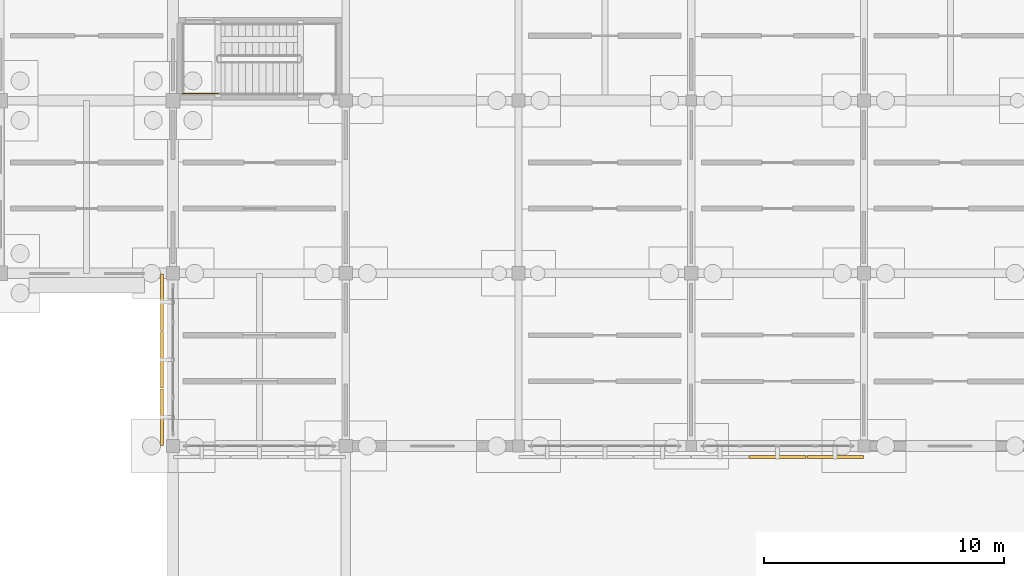
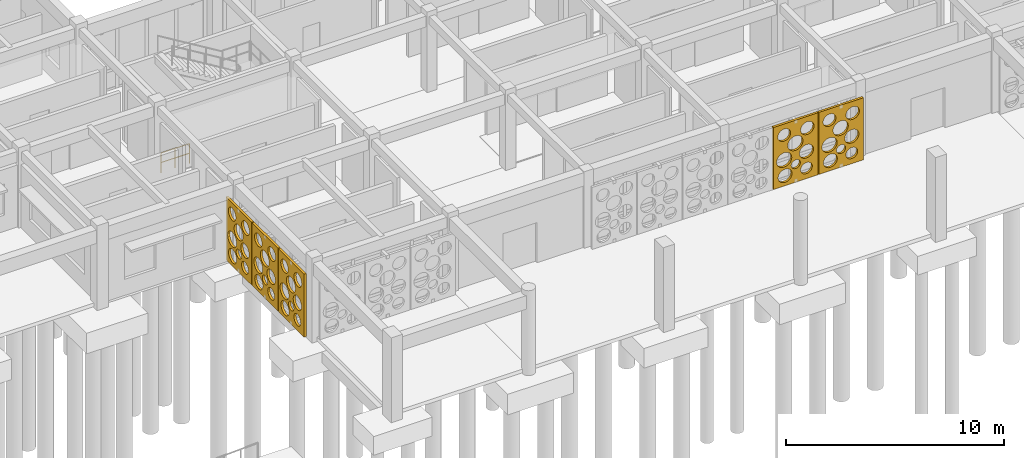
# One storey, part 98 of 111: 5 coverings, 1 railing.
"""IFC4 building model written with IfcOpenShell, lengths in metres."""

from ifc_helpers import new_model, si_unit, direction, frame, origin, origin_2d, place, context, subcontext, project, spatial, polyline, circle, outline, extrude, material, layer, layer_set, type_object, element, save


model = new_model("IFC4")

# Units and contexts
model_context = context("Model", 3, precision=1e-05, world=origin(), true_north=direction((0.0, 1.0)))
body_context = subcontext(model_context, "Body", "Model", "MODEL_VIEW")
ifc_project = project(units=[si_unit("LENGTHUNIT", "METRE"), si_unit("AREAUNIT", "SQUARE_METRE"), si_unit("VOLUMEUNIT", "CUBIC_METRE"), si_unit("PLANEANGLEUNIT", "RADIAN"), si_unit("MASSUNIT", "GRAM", prefix="KILO")], contexts=[model_context])

# Site, building, storey
site_placement = place(None, origin())
site = spatial("IfcSite", under=ifc_project, at=site_placement, CompositionType="ELEMENT")
building_placement = place(site_placement, origin())
building = spatial("IfcBuilding", under=site, at=building_placement, Name="Aldebral Square Health Centre", CompositionType="ELEMENT")
storey_placement = place(building_placement, origin())
storey = spatial("IfcBuildingStorey", under=building, at=storey_placement, Name="L00", CompositionType="ELEMENT", Elevation=0.0)

# Coverings
ifc_material_1 = material(Name="Cream cantera perforated stone screen", Category="masonry")
ifc_layer = layer(ifc_material_1, 0.1201171875, Name="Cream cantera perforated stone screen", Category="masonry")
ifc_layer_set = layer_set([ifc_layer], Name="Cream cantera perforated stone screen")
covering_type = type_object("IfcCoveringType", Name="COV-SCR-120", PredefinedType="CLADDING", material=ifc_layer_set)
covering_1_placement = place(storey_placement, frame((64.340087890625, 86.3798828125, 0.0), z_axis=(0.0, 0.0, 1.0), x_axis=(0.0, -1.0, 0.0)))
element("IfcCovering", 1, at=covering_1_placement, inside=storey, type_object=covering_type, Name="L00 V1 circular-aperture stone screen L00-V1-09-11-W.1", PredefinedType="CLADDING", context=body_context, shape_type="SweptSolid", body=[
    extrude(outline(polyline([(0.0, 0.0), (2.35986328125, 0.0), (2.35986328125, 3.52001953125), (0.0, 3.52001953125), (0.0, 0.0)]), holes=[polyline([(0.987548828125, 0.563232421875), (0.96923828125, 0.44775390625), (0.916015625, 0.343505859375), (0.833251953125, 0.2607421875), (0.729248046875, 0.20751953125), (0.613525390625, 0.189208984375), (0.498046875, 0.20751953125), (0.393798828125, 0.2607421875), (0.31103515625, 0.343505859375), (0.258056640625, 0.44775390625), (0.23974609375, 0.563232421875), (0.258056640625, 0.6787109375), (0.31103515625, 0.782958984375), (0.393798828125, 0.86572265625), (0.498046875, 0.918701171875), (0.613525390625, 0.93701171875), (0.729248046875, 0.918701171875), (0.833251953125, 0.86572265625), (0.916015625, 0.782958984375), (0.96923828125, 0.6787109375), (0.987548828125, 0.563232421875)]), polyline([(2.0615234375, 0.598388671875), (2.046142578125, 0.5009765625), (2.00146484375, 0.4130859375), (1.931640625, 0.343505859375), (1.84375, 0.298583984375), (1.746337890625, 0.283203125), (1.64892578125, 0.298583984375), (1.56103515625, 0.343505859375), (1.491455078125, 0.4130859375), (1.446533203125, 0.5009765625), (1.43115234375, 0.598388671875), (1.446533203125, 0.69580078125), (1.491455078125, 0.78369140625), (1.56103515625, 0.853515625), (1.64892578125, 0.898193359375), (1.746337890625, 0.91357421875), (1.84375, 0.898193359375), (1.931640625, 0.853515625), (2.00146484375, 0.78369140625), (2.046142578125, 0.69580078125), (2.0615234375, 0.598388671875)]), polyline([(0.974609375, 1.478515625), (0.95458984375, 1.352294921875), (0.896728515625, 1.238525390625), (0.806396484375, 1.148193359375), (0.692626953125, 1.090087890625), (0.56640625, 1.0703125), (0.440185546875, 1.090087890625), (0.326416015625, 1.148193359375), (0.236083984375, 1.238525390625), (0.17822265625, 1.352294921875), (0.158203125, 1.478515625), (0.17822265625, 1.6044921875), (0.236083984375, 1.71826171875), (0.326416015625, 1.80859375), (0.440185546875, 1.86669921875), (0.56640625, 1.88671875), (0.692626953125, 1.86669921875), (0.806396484375, 1.80859375), (0.896728515625, 1.71826171875), (0.95458984375, 1.6044921875), (0.974609375, 1.478515625)]), polyline([(2.127197265625, 1.548828125), (2.1083984375, 1.43115234375), (2.054443359375, 1.324951171875), (1.97021484375, 1.24072265625), (1.864013671875, 1.186767578125), (1.746337890625, 1.168212890625), (1.628662109375, 1.186767578125), (1.522705078125, 1.24072265625), (1.4384765625, 1.324951171875), (1.38427734375, 1.43115234375), (1.36572265625, 1.548828125), (1.38427734375, 1.66650390625), (1.4384765625, 1.7724609375), (1.522705078125, 1.856689453125), (1.628662109375, 1.910888671875), (1.746337890625, 1.929443359375), (1.864013671875, 1.910888671875), (1.97021484375, 1.856689453125), (2.054443359375, 1.7724609375), (2.1083984375, 1.66650390625), (2.127197265625, 1.548828125)]), polyline([(1.42529296875, 1.020751953125), (1.413330078125, 0.945068359375), (1.37841796875, 0.87646484375), (1.32421875, 0.822265625), (1.255859375, 0.787353515625), (1.179931640625, 0.775390625), (1.104248046875, 0.787353515625), (1.03564453125, 0.822265625), (0.9814453125, 0.87646484375), (0.946533203125, 0.945068359375), (0.9345703125, 1.020751953125), (0.946533203125, 1.0966796875), (0.9814453125, 1.1650390625), (1.03564453125, 1.21923828125), (1.104248046875, 1.254150390625), (1.179931640625, 1.26611328125), (1.255859375, 1.254150390625), (1.32421875, 1.21923828125), (1.37841796875, 1.1650390625), (1.413330078125, 1.0966796875), (1.42529296875, 1.020751953125)]), polyline([(1.5673828125, 2.217529296875), (1.54736328125, 2.090576171875), (1.489013671875, 1.97607421875), (1.39794921875, 1.885009765625), (1.283447265625, 1.82666015625), (1.156494140625, 1.806396484375), (1.029296875, 1.82666015625), (0.914794921875, 1.885009765625), (0.82373046875, 1.97607421875), (0.765380859375, 2.090576171875), (0.745361328125, 2.217529296875), (0.765380859375, 2.3447265625), (0.82373046875, 2.459228515625), (0.914794921875, 2.55029296875), (1.029296875, 2.608642578125), (1.156494140625, 2.628662109375), (1.283447265625, 2.608642578125), (1.39794921875, 2.55029296875), (1.489013671875, 2.459228515625), (1.54736328125, 2.3447265625), (1.5673828125, 2.217529296875)]), polyline([(0.91162109375, 2.886474609375), (0.894775390625, 2.77978515625), (0.845703125, 2.68359375), (0.769287109375, 2.607177734375), (0.673095703125, 2.55810546875), (0.56640625, 2.541259765625), (0.459716796875, 2.55810546875), (0.363525390625, 2.607177734375), (0.287109375, 2.68359375), (0.238037109375, 2.77978515625), (0.22119140625, 2.886474609375), (0.238037109375, 2.9931640625), (0.287109375, 3.08935546875), (0.363525390625, 3.165771484375), (0.459716796875, 3.214599609375), (0.56640625, 3.231689453125), (0.673095703125, 3.214599609375), (0.769287109375, 3.165771484375), (0.845703125, 3.08935546875), (0.894775390625, 2.9931640625), (0.91162109375, 2.886474609375)]), polyline([(2.15380859375, 2.851318359375), (2.13623046875, 2.739990234375), (2.0849609375, 2.639404296875), (2.00537109375, 2.559814453125), (1.905029296875, 2.508544921875), (1.793701171875, 2.490966796875), (1.682373046875, 2.508544921875), (1.581787109375, 2.559814453125), (1.502197265625, 2.639404296875), (1.450927734375, 2.739990234375), (1.433349609375, 2.851318359375), (1.450927734375, 2.96240234375), (1.502197265625, 3.06298828125), (1.581787109375, 3.142578125), (1.682373046875, 3.19384765625), (1.793701171875, 3.21142578125), (1.905029296875, 3.19384765625), (2.00537109375, 3.142578125), (2.0849609375, 3.06298828125), (2.13623046875, 2.96240234375), (2.15380859375, 2.851318359375)])]), frame((0.0, 0.06005859375, 0.0), z_axis=(0.0, -1.0, 0.0), x_axis=(1.0, 0.0, 0.0)), (0.0, 0.0, 1.0), 0.1201171875),
])
covering_2_placement = place(storey_placement, frame((64.340087890625, 83.97998046875, 0.0), z_axis=(0.0, 0.0, 1.0), x_axis=(0.0, -1.0, 0.0)))
element("IfcCovering", 2, at=covering_2_placement, inside=storey, type_object=covering_type, Name="L00 V1 circular-aperture stone screen L00-V1-09-11-W.2", PredefinedType="CLADDING", context=body_context, shape_type="SweptSolid", body=[
    extrude(outline(polyline([(0.0, 0.0), (2.35986328125, 0.0), (2.35986328125, 3.52001953125), (0.0, 3.52001953125), (0.0, 0.0)]), holes=[polyline([(0.987548828125, 0.563232421875), (0.96923828125, 0.44775390625), (0.916015625, 0.343505859375), (0.833251953125, 0.2607421875), (0.729248046875, 0.20751953125), (0.613525390625, 0.189208984375), (0.498046875, 0.20751953125), (0.393798828125, 0.2607421875), (0.31103515625, 0.343505859375), (0.258056640625, 0.44775390625), (0.23974609375, 0.563232421875), (0.258056640625, 0.6787109375), (0.31103515625, 0.782958984375), (0.393798828125, 0.86572265625), (0.498046875, 0.918701171875), (0.613525390625, 0.93701171875), (0.729248046875, 0.918701171875), (0.833251953125, 0.86572265625), (0.916015625, 0.782958984375), (0.96923828125, 0.6787109375), (0.987548828125, 0.563232421875)]), polyline([(2.0615234375, 0.598388671875), (2.046142578125, 0.5009765625), (2.00146484375, 0.4130859375), (1.931640625, 0.343505859375), (1.84375, 0.298583984375), (1.746337890625, 0.283203125), (1.64892578125, 0.298583984375), (1.56103515625, 0.343505859375), (1.491455078125, 0.4130859375), (1.446533203125, 0.5009765625), (1.43115234375, 0.598388671875), (1.446533203125, 0.69580078125), (1.491455078125, 0.78369140625), (1.56103515625, 0.853515625), (1.64892578125, 0.898193359375), (1.746337890625, 0.91357421875), (1.84375, 0.898193359375), (1.931640625, 0.853515625), (2.00146484375, 0.78369140625), (2.046142578125, 0.69580078125), (2.0615234375, 0.598388671875)]), polyline([(0.974609375, 1.478515625), (0.95458984375, 1.352294921875), (0.896728515625, 1.238525390625), (0.806396484375, 1.148193359375), (0.692626953125, 1.090087890625), (0.56640625, 1.0703125), (0.440185546875, 1.090087890625), (0.326416015625, 1.148193359375), (0.236083984375, 1.238525390625), (0.17822265625, 1.352294921875), (0.158203125, 1.478515625), (0.17822265625, 1.6044921875), (0.236083984375, 1.71826171875), (0.326416015625, 1.80859375), (0.440185546875, 1.86669921875), (0.56640625, 1.88671875), (0.692626953125, 1.86669921875), (0.806396484375, 1.80859375), (0.896728515625, 1.71826171875), (0.95458984375, 1.6044921875), (0.974609375, 1.478515625)]), polyline([(2.127197265625, 1.548828125), (2.1083984375, 1.43115234375), (2.054443359375, 1.324951171875), (1.97021484375, 1.24072265625), (1.864013671875, 1.186767578125), (1.746337890625, 1.168212890625), (1.628662109375, 1.186767578125), (1.522705078125, 1.24072265625), (1.4384765625, 1.324951171875), (1.38427734375, 1.43115234375), (1.36572265625, 1.548828125), (1.38427734375, 1.66650390625), (1.4384765625, 1.7724609375), (1.522705078125, 1.856689453125), (1.628662109375, 1.910888671875), (1.746337890625, 1.929443359375), (1.864013671875, 1.910888671875), (1.97021484375, 1.856689453125), (2.054443359375, 1.7724609375), (2.1083984375, 1.66650390625), (2.127197265625, 1.548828125)]), polyline([(1.42529296875, 1.020751953125), (1.413330078125, 0.945068359375), (1.37841796875, 0.87646484375), (1.32421875, 0.822265625), (1.255859375, 0.787353515625), (1.179931640625, 0.775390625), (1.104248046875, 0.787353515625), (1.03564453125, 0.822265625), (0.9814453125, 0.87646484375), (0.946533203125, 0.945068359375), (0.9345703125, 1.020751953125), (0.946533203125, 1.0966796875), (0.9814453125, 1.1650390625), (1.03564453125, 1.21923828125), (1.104248046875, 1.254150390625), (1.179931640625, 1.26611328125), (1.255859375, 1.254150390625), (1.32421875, 1.21923828125), (1.37841796875, 1.1650390625), (1.413330078125, 1.0966796875), (1.42529296875, 1.020751953125)]), polyline([(1.5673828125, 2.217529296875), (1.54736328125, 2.090576171875), (1.489013671875, 1.97607421875), (1.39794921875, 1.885009765625), (1.283447265625, 1.82666015625), (1.156494140625, 1.806396484375), (1.029296875, 1.82666015625), (0.914794921875, 1.885009765625), (0.82373046875, 1.97607421875), (0.765380859375, 2.090576171875), (0.745361328125, 2.217529296875), (0.765380859375, 2.3447265625), (0.82373046875, 2.459228515625), (0.914794921875, 2.55029296875), (1.029296875, 2.608642578125), (1.156494140625, 2.628662109375), (1.283447265625, 2.608642578125), (1.39794921875, 2.55029296875), (1.489013671875, 2.459228515625), (1.54736328125, 2.3447265625), (1.5673828125, 2.217529296875)]), polyline([(0.91162109375, 2.886474609375), (0.894775390625, 2.77978515625), (0.845703125, 2.68359375), (0.769287109375, 2.607177734375), (0.673095703125, 2.55810546875), (0.56640625, 2.541259765625), (0.459716796875, 2.55810546875), (0.363525390625, 2.607177734375), (0.287109375, 2.68359375), (0.238037109375, 2.77978515625), (0.22119140625, 2.886474609375), (0.238037109375, 2.9931640625), (0.287109375, 3.08935546875), (0.363525390625, 3.165771484375), (0.459716796875, 3.214599609375), (0.56640625, 3.231689453125), (0.673095703125, 3.214599609375), (0.769287109375, 3.165771484375), (0.845703125, 3.08935546875), (0.894775390625, 2.9931640625), (0.91162109375, 2.886474609375)]), polyline([(2.15380859375, 2.851318359375), (2.13623046875, 2.739990234375), (2.0849609375, 2.639404296875), (2.00537109375, 2.559814453125), (1.905029296875, 2.508544921875), (1.793701171875, 2.490966796875), (1.682373046875, 2.508544921875), (1.581787109375, 2.559814453125), (1.502197265625, 2.639404296875), (1.450927734375, 2.739990234375), (1.433349609375, 2.851318359375), (1.450927734375, 2.96240234375), (1.502197265625, 3.06298828125), (1.581787109375, 3.142578125), (1.682373046875, 3.19384765625), (1.793701171875, 3.21142578125), (1.905029296875, 3.19384765625), (2.00537109375, 3.142578125), (2.0849609375, 3.06298828125), (2.13623046875, 2.96240234375), (2.15380859375, 2.851318359375)])]), frame((0.0, 0.06005859375, 0.0), z_axis=(0.0, -1.0, 0.0), x_axis=(1.0, 0.0, 0.0)), (0.0, 0.0, 1.0), 0.1201171875),
])
covering_3_placement = place(storey_placement, frame((64.340087890625, 81.580078125, 0.0), z_axis=(0.0, 0.0, 1.0), x_axis=(0.0, -1.0, 0.0)))
element("IfcCovering", 3, at=covering_3_placement, inside=storey, type_object=covering_type, Name="L00 V1 circular-aperture stone screen L00-V1-09-11-W.3", PredefinedType="CLADDING", context=body_context, shape_type="SweptSolid", body=[
    extrude(outline(polyline([(0.0, 0.0), (2.360107421875, 0.0), (2.360107421875, 3.52001953125), (0.0, 3.52001953125), (0.0, 0.0)]), holes=[polyline([(0.987548828125, 0.563232421875), (0.96923828125, 0.44775390625), (0.916015625, 0.343505859375), (0.833251953125, 0.2607421875), (0.729248046875, 0.20751953125), (0.613525390625, 0.189208984375), (0.498046875, 0.20751953125), (0.393798828125, 0.2607421875), (0.31103515625, 0.343505859375), (0.258056640625, 0.44775390625), (0.23974609375, 0.563232421875), (0.258056640625, 0.6787109375), (0.31103515625, 0.782958984375), (0.393798828125, 0.86572265625), (0.498046875, 0.918701171875), (0.613525390625, 0.93701171875), (0.729248046875, 0.918701171875), (0.833251953125, 0.86572265625), (0.916015625, 0.782958984375), (0.96923828125, 0.6787109375), (0.987548828125, 0.563232421875)]), polyline([(2.0615234375, 0.598388671875), (2.046142578125, 0.5009765625), (2.00146484375, 0.4130859375), (1.931640625, 0.343505859375), (1.84375, 0.298583984375), (1.746337890625, 0.283203125), (1.64892578125, 0.298583984375), (1.56103515625, 0.343505859375), (1.491455078125, 0.4130859375), (1.446533203125, 0.5009765625), (1.43115234375, 0.598388671875), (1.446533203125, 0.69580078125), (1.491455078125, 0.78369140625), (1.56103515625, 0.853515625), (1.64892578125, 0.898193359375), (1.746337890625, 0.91357421875), (1.84375, 0.898193359375), (1.931640625, 0.853515625), (2.00146484375, 0.78369140625), (2.046142578125, 0.69580078125), (2.0615234375, 0.598388671875)]), polyline([(0.974609375, 1.478515625), (0.95458984375, 1.352294921875), (0.896728515625, 1.238525390625), (0.806396484375, 1.148193359375), (0.692626953125, 1.090087890625), (0.56640625, 1.0703125), (0.440185546875, 1.090087890625), (0.326416015625, 1.148193359375), (0.236083984375, 1.238525390625), (0.17822265625, 1.352294921875), (0.158203125, 1.478515625), (0.17822265625, 1.6044921875), (0.236083984375, 1.71826171875), (0.326416015625, 1.80859375), (0.440185546875, 1.86669921875), (0.56640625, 1.88671875), (0.692626953125, 1.86669921875), (0.806396484375, 1.80859375), (0.896728515625, 1.71826171875), (0.95458984375, 1.6044921875), (0.974609375, 1.478515625)]), polyline([(2.127197265625, 1.548828125), (2.1083984375, 1.43115234375), (2.054443359375, 1.324951171875), (1.97021484375, 1.24072265625), (1.864013671875, 1.186767578125), (1.746337890625, 1.168212890625), (1.628662109375, 1.186767578125), (1.522705078125, 1.24072265625), (1.4384765625, 1.324951171875), (1.38427734375, 1.43115234375), (1.36572265625, 1.548828125), (1.38427734375, 1.66650390625), (1.4384765625, 1.7724609375), (1.522705078125, 1.856689453125), (1.628662109375, 1.910888671875), (1.746337890625, 1.929443359375), (1.864013671875, 1.910888671875), (1.97021484375, 1.856689453125), (2.054443359375, 1.7724609375), (2.1083984375, 1.66650390625), (2.127197265625, 1.548828125)]), polyline([(1.42529296875, 1.020751953125), (1.413330078125, 0.945068359375), (1.37841796875, 0.87646484375), (1.32421875, 0.822265625), (1.255859375, 0.787353515625), (1.179931640625, 0.775390625), (1.104248046875, 0.787353515625), (1.03564453125, 0.822265625), (0.9814453125, 0.87646484375), (0.946533203125, 0.945068359375), (0.9345703125, 1.020751953125), (0.946533203125, 1.0966796875), (0.9814453125, 1.1650390625), (1.03564453125, 1.21923828125), (1.104248046875, 1.254150390625), (1.179931640625, 1.26611328125), (1.255859375, 1.254150390625), (1.32421875, 1.21923828125), (1.37841796875, 1.1650390625), (1.413330078125, 1.0966796875), (1.42529296875, 1.020751953125)]), polyline([(1.5673828125, 2.217529296875), (1.54736328125, 2.090576171875), (1.489013671875, 1.97607421875), (1.39794921875, 1.885009765625), (1.283447265625, 1.82666015625), (1.156494140625, 1.806396484375), (1.029296875, 1.82666015625), (0.914794921875, 1.885009765625), (0.82373046875, 1.97607421875), (0.765380859375, 2.090576171875), (0.745361328125, 2.217529296875), (0.765380859375, 2.3447265625), (0.82373046875, 2.459228515625), (0.914794921875, 2.55029296875), (1.029296875, 2.608642578125), (1.156494140625, 2.628662109375), (1.283447265625, 2.608642578125), (1.39794921875, 2.55029296875), (1.489013671875, 2.459228515625), (1.54736328125, 2.3447265625), (1.5673828125, 2.217529296875)]), polyline([(0.91162109375, 2.886474609375), (0.894775390625, 2.77978515625), (0.845703125, 2.68359375), (0.769287109375, 2.607177734375), (0.673095703125, 2.55810546875), (0.56640625, 2.541259765625), (0.459716796875, 2.55810546875), (0.363525390625, 2.607177734375), (0.287109375, 2.68359375), (0.238037109375, 2.77978515625), (0.22119140625, 2.886474609375), (0.238037109375, 2.9931640625), (0.287109375, 3.08935546875), (0.363525390625, 3.165771484375), (0.459716796875, 3.214599609375), (0.56640625, 3.231689453125), (0.673095703125, 3.214599609375), (0.769287109375, 3.165771484375), (0.845703125, 3.08935546875), (0.894775390625, 2.9931640625), (0.91162109375, 2.886474609375)]), polyline([(2.15380859375, 2.851318359375), (2.13623046875, 2.739990234375), (2.0849609375, 2.639404296875), (2.00537109375, 2.559814453125), (1.905029296875, 2.508544921875), (1.793701171875, 2.490966796875), (1.682373046875, 2.508544921875), (1.581787109375, 2.559814453125), (1.502197265625, 2.639404296875), (1.450927734375, 2.739990234375), (1.433349609375, 2.851318359375), (1.450927734375, 2.96240234375), (1.502197265625, 3.06298828125), (1.581787109375, 3.142578125), (1.682373046875, 3.19384765625), (1.793701171875, 3.21142578125), (1.905029296875, 3.19384765625), (2.00537109375, 3.142578125), (2.0849609375, 3.06298828125), (2.13623046875, 2.96240234375), (2.15380859375, 2.851318359375)])]), frame((0.0, 0.06005859375, 0.0), z_axis=(0.0, -1.0, 0.0), x_axis=(1.0, 0.0, 0.0)), (0.0, 0.0, 1.0), 0.1201171875),
])
covering_4_placement = place(storey_placement, frame((88.820068359375, 78.739990234375, 0.0), z_axis=(0.0, 0.0, 1.0), x_axis=(1.0, 0.0, 0.0)))
element("IfcCovering", 4, at=covering_4_placement, inside=storey, type_object=covering_type, Name="L00 V1 circular-aperture stone screen L00-V1-12-11-S.2", PredefinedType="CLADDING", context=body_context, shape_type="SweptSolid", body=[
    extrude(outline(polyline([(0.0, 0.0), (2.35986328125, 0.0), (2.35986328125, 3.469970703125), (0.0, 3.469970703125), (0.0, 0.0)]), holes=[polyline([(0.98486328125, 0.55517578125), (0.966552734375, 0.4404296875), (0.913818359375, 0.3369140625), (0.831787109375, 0.2548828125), (0.728271484375, 0.2021484375), (0.613525390625, 0.18408203125), (0.498779296875, 0.2021484375), (0.3955078125, 0.2548828125), (0.313232421875, 0.3369140625), (0.260498046875, 0.4404296875), (0.242431640625, 0.55517578125), (0.260498046875, 0.669921875), (0.313232421875, 0.7734375), (0.3955078125, 0.85546875), (0.498779296875, 0.908203125), (0.613525390625, 0.926513671875), (0.728271484375, 0.908203125), (0.831787109375, 0.85546875), (0.913818359375, 0.7734375), (0.966552734375, 0.669921875), (0.98486328125, 0.55517578125)]), polyline([(2.059326171875, 0.58984375), (2.0439453125, 0.4931640625), (1.99951171875, 0.406005859375), (1.930419921875, 0.336669921875), (1.843017578125, 0.292236328125), (1.746337890625, 0.277099609375), (1.649658203125, 0.292236328125), (1.5625, 0.336669921875), (1.4931640625, 0.406005859375), (1.44873046875, 0.4931640625), (1.43359375, 0.58984375), (1.44873046875, 0.6865234375), (1.4931640625, 0.77392578125), (1.5625, 0.843017578125), (1.649658203125, 0.887451171875), (1.746337890625, 0.90283203125), (1.843017578125, 0.887451171875), (1.930419921875, 0.843017578125), (1.99951171875, 0.77392578125), (2.0439453125, 0.6865234375), (2.059326171875, 0.58984375)]), polyline([(0.970703125, 1.45751953125), (0.950927734375, 1.33251953125), (0.8935546875, 1.2197265625), (0.803955078125, 1.13037109375), (0.69140625, 1.072998046875), (0.56640625, 1.052978515625), (0.44140625, 1.072998046875), (0.328857421875, 1.13037109375), (0.2392578125, 1.2197265625), (0.181884765625, 1.33251953125), (0.162109375, 1.45751953125), (0.181884765625, 1.582275390625), (0.2392578125, 1.695068359375), (0.328857421875, 1.784423828125), (0.44140625, 1.841796875), (0.56640625, 1.86181640625), (0.69140625, 1.841796875), (0.803955078125, 1.784423828125), (0.8935546875, 1.695068359375), (0.950927734375, 1.582275390625), (0.970703125, 1.45751953125)]), polyline([(2.124267578125, 1.52685546875), (2.105712890625, 1.41015625), (2.052001953125, 1.3046875), (1.968505859375, 1.22119140625), (1.863037109375, 1.16748046875), (1.746337890625, 1.14892578125), (1.629638671875, 1.16748046875), (1.5244140625, 1.22119140625), (1.440673828125, 1.3046875), (1.38720703125, 1.41015625), (1.36865234375, 1.52685546875), (1.38720703125, 1.6435546875), (1.440673828125, 1.748779296875), (1.5244140625, 1.83251953125), (1.629638671875, 1.88623046875), (1.746337890625, 1.904541015625), (1.863037109375, 1.88623046875), (1.968505859375, 1.83251953125), (2.052001953125, 1.748779296875), (2.105712890625, 1.6435546875), (2.124267578125, 1.52685546875)]), polyline([(1.42431640625, 1.00634765625), (1.412353515625, 0.9306640625), (1.377685546875, 0.862548828125), (1.32373046875, 0.80859375), (1.255615234375, 0.77392578125), (1.179931640625, 0.761962890625), (1.1044921875, 0.77392578125), (1.036376953125, 0.80859375), (0.982177734375, 0.862548828125), (0.947509765625, 0.9306640625), (0.935546875, 1.00634765625), (0.947509765625, 1.081787109375), (0.982177734375, 1.14990234375), (1.036376953125, 1.2041015625), (1.1044921875, 1.23876953125), (1.179931640625, 1.250732421875), (1.255615234375, 1.23876953125), (1.32373046875, 1.2041015625), (1.377685546875, 1.14990234375), (1.412353515625, 1.081787109375), (1.42431640625, 1.00634765625)]), polyline([(1.563232421875, 2.18603515625), (1.54345703125, 2.060302734375), (1.485595703125, 1.947021484375), (1.3955078125, 1.85693359375), (1.2822265625, 1.799072265625), (1.156494140625, 1.779296875), (1.03076171875, 1.799072265625), (0.917236328125, 1.85693359375), (0.8271484375, 1.947021484375), (0.76953125, 2.060302734375), (0.74951171875, 2.18603515625), (0.76953125, 2.311767578125), (0.8271484375, 2.42529296875), (0.917236328125, 2.515380859375), (1.03076171875, 2.572998046875), (1.156494140625, 2.593017578125), (1.2822265625, 2.572998046875), (1.3955078125, 2.515380859375), (1.485595703125, 2.42529296875), (1.54345703125, 2.311767578125), (1.563232421875, 2.18603515625)]), polyline([(0.9091796875, 2.845458984375), (0.892333984375, 2.739501953125), (0.84375, 2.64404296875), (0.767822265625, 2.568115234375), (0.67236328125, 2.51953125), (0.56640625, 2.502685546875), (0.46044921875, 2.51953125), (0.364990234375, 2.568115234375), (0.2890625, 2.64404296875), (0.240478515625, 2.739501953125), (0.2236328125, 2.845458984375), (0.240478515625, 2.951416015625), (0.2890625, 3.046875), (0.364990234375, 3.12255859375), (0.46044921875, 3.17138671875), (0.56640625, 3.18798828125), (0.67236328125, 3.17138671875), (0.767822265625, 3.12255859375), (0.84375, 3.046875), (0.892333984375, 2.951416015625), (0.9091796875, 2.845458984375)]), polyline([(2.1513671875, 2.810791015625), (2.1337890625, 2.7001953125), (2.0830078125, 2.600341796875), (2.00390625, 2.521240234375), (1.904052734375, 2.470458984375), (1.793701171875, 2.452880859375), (1.68310546875, 2.470458984375), (1.583251953125, 2.521240234375), (1.504150390625, 2.600341796875), (1.453369140625, 2.7001953125), (1.435791015625, 2.810791015625), (1.453369140625, 2.921142578125), (1.504150390625, 3.02099609375), (1.583251953125, 3.10009765625), (1.68310546875, 3.15087890625), (1.793701171875, 3.16845703125), (1.904052734375, 3.15087890625), (2.00390625, 3.10009765625), (2.0830078125, 3.02099609375), (2.1337890625, 2.921142578125), (2.1513671875, 2.810791015625)])]), frame((0.0, 0.06005859375, 0.0), z_axis=(0.0, -1.0, 0.0), x_axis=(1.0, 0.0, 0.0)), (0.0, 0.0, 1.0), 0.1201171875),
])
covering_5_placement = place(storey_placement, frame((91.219970703125, 78.739990234375, 0.0), z_axis=(0.0, 0.0, 1.0), x_axis=(1.0, 0.0, 0.0)))
element("IfcCovering", 5, at=covering_5_placement, inside=storey, type_object=covering_type, Name="L00 V1 circular-aperture stone screen L00-V1-12-11-S.3", PredefinedType="CLADDING", context=body_context, shape_type="SweptSolid", body=[
    extrude(outline(polyline([(0.0, 0.0), (2.360107421875, 0.0), (2.360107421875, 3.469970703125), (0.0, 3.469970703125), (0.0, 0.0)]), holes=[polyline([(0.98486328125, 0.55517578125), (0.966552734375, 0.4404296875), (0.913818359375, 0.3369140625), (0.831787109375, 0.2548828125), (0.728271484375, 0.2021484375), (0.613525390625, 0.18408203125), (0.498779296875, 0.2021484375), (0.3955078125, 0.2548828125), (0.313232421875, 0.3369140625), (0.260498046875, 0.4404296875), (0.242431640625, 0.55517578125), (0.260498046875, 0.669921875), (0.313232421875, 0.7734375), (0.3955078125, 0.85546875), (0.498779296875, 0.908203125), (0.613525390625, 0.926513671875), (0.728271484375, 0.908203125), (0.831787109375, 0.85546875), (0.913818359375, 0.7734375), (0.966552734375, 0.669921875), (0.98486328125, 0.55517578125)]), polyline([(2.059326171875, 0.58984375), (2.0439453125, 0.4931640625), (1.99951171875, 0.406005859375), (1.930419921875, 0.336669921875), (1.843017578125, 0.292236328125), (1.746337890625, 0.277099609375), (1.649658203125, 0.292236328125), (1.5625, 0.336669921875), (1.4931640625, 0.406005859375), (1.44873046875, 0.4931640625), (1.43359375, 0.58984375), (1.44873046875, 0.6865234375), (1.4931640625, 0.77392578125), (1.5625, 0.843017578125), (1.649658203125, 0.887451171875), (1.746337890625, 0.90283203125), (1.843017578125, 0.887451171875), (1.930419921875, 0.843017578125), (1.99951171875, 0.77392578125), (2.0439453125, 0.6865234375), (2.059326171875, 0.58984375)]), polyline([(0.970703125, 1.45751953125), (0.950927734375, 1.33251953125), (0.8935546875, 1.2197265625), (0.803955078125, 1.13037109375), (0.69140625, 1.072998046875), (0.56640625, 1.052978515625), (0.44140625, 1.072998046875), (0.328857421875, 1.13037109375), (0.2392578125, 1.2197265625), (0.181884765625, 1.33251953125), (0.162109375, 1.45751953125), (0.181884765625, 1.582275390625), (0.2392578125, 1.695068359375), (0.328857421875, 1.784423828125), (0.44140625, 1.841796875), (0.56640625, 1.86181640625), (0.69140625, 1.841796875), (0.803955078125, 1.784423828125), (0.8935546875, 1.695068359375), (0.950927734375, 1.582275390625), (0.970703125, 1.45751953125)]), polyline([(2.124267578125, 1.52685546875), (2.105712890625, 1.41015625), (2.052001953125, 1.3046875), (1.968505859375, 1.22119140625), (1.863037109375, 1.16748046875), (1.746337890625, 1.14892578125), (1.629638671875, 1.16748046875), (1.5244140625, 1.22119140625), (1.440673828125, 1.3046875), (1.38720703125, 1.41015625), (1.36865234375, 1.52685546875), (1.38720703125, 1.6435546875), (1.440673828125, 1.748779296875), (1.5244140625, 1.83251953125), (1.629638671875, 1.88623046875), (1.746337890625, 1.904541015625), (1.863037109375, 1.88623046875), (1.968505859375, 1.83251953125), (2.052001953125, 1.748779296875), (2.105712890625, 1.6435546875), (2.124267578125, 1.52685546875)]), polyline([(1.42431640625, 1.00634765625), (1.412353515625, 0.9306640625), (1.377685546875, 0.862548828125), (1.32373046875, 0.80859375), (1.255615234375, 0.77392578125), (1.179931640625, 0.761962890625), (1.1044921875, 0.77392578125), (1.036376953125, 0.80859375), (0.982177734375, 0.862548828125), (0.947509765625, 0.9306640625), (0.935546875, 1.00634765625), (0.947509765625, 1.081787109375), (0.982177734375, 1.14990234375), (1.036376953125, 1.2041015625), (1.1044921875, 1.23876953125), (1.179931640625, 1.250732421875), (1.255615234375, 1.23876953125), (1.32373046875, 1.2041015625), (1.377685546875, 1.14990234375), (1.412353515625, 1.081787109375), (1.42431640625, 1.00634765625)]), polyline([(1.563232421875, 2.18603515625), (1.54345703125, 2.060302734375), (1.485595703125, 1.947021484375), (1.3955078125, 1.85693359375), (1.2822265625, 1.799072265625), (1.156494140625, 1.779296875), (1.03076171875, 1.799072265625), (0.917236328125, 1.85693359375), (0.8271484375, 1.947021484375), (0.76953125, 2.060302734375), (0.74951171875, 2.18603515625), (0.76953125, 2.311767578125), (0.8271484375, 2.42529296875), (0.917236328125, 2.515380859375), (1.03076171875, 2.572998046875), (1.156494140625, 2.593017578125), (1.2822265625, 2.572998046875), (1.3955078125, 2.515380859375), (1.485595703125, 2.42529296875), (1.54345703125, 2.311767578125), (1.563232421875, 2.18603515625)]), polyline([(0.9091796875, 2.845458984375), (0.892333984375, 2.739501953125), (0.84375, 2.64404296875), (0.767822265625, 2.568115234375), (0.67236328125, 2.51953125), (0.56640625, 2.502685546875), (0.46044921875, 2.51953125), (0.364990234375, 2.568115234375), (0.2890625, 2.64404296875), (0.240478515625, 2.739501953125), (0.2236328125, 2.845458984375), (0.240478515625, 2.951416015625), (0.2890625, 3.046875), (0.364990234375, 3.12255859375), (0.46044921875, 3.17138671875), (0.56640625, 3.18798828125), (0.67236328125, 3.17138671875), (0.767822265625, 3.12255859375), (0.84375, 3.046875), (0.892333984375, 2.951416015625), (0.9091796875, 2.845458984375)]), polyline([(2.1513671875, 2.810791015625), (2.1337890625, 2.7001953125), (2.0830078125, 2.600341796875), (2.00390625, 2.521240234375), (1.904052734375, 2.470458984375), (1.793701171875, 2.452880859375), (1.68310546875, 2.470458984375), (1.583251953125, 2.521240234375), (1.504150390625, 2.600341796875), (1.453369140625, 2.7001953125), (1.435791015625, 2.810791015625), (1.453369140625, 2.921142578125), (1.504150390625, 3.02099609375), (1.583251953125, 3.10009765625), (1.68310546875, 3.15087890625), (1.793701171875, 3.16845703125), (1.904052734375, 3.15087890625), (2.00390625, 3.10009765625), (2.0830078125, 3.02099609375), (2.1337890625, 2.921142578125), (2.1513671875, 2.810791015625)])]), frame((0.0, 0.06005859375, 0.0), z_axis=(0.0, -1.0, 0.0), x_axis=(1.0, 0.0, 0.0)), (0.0, 0.0, 1.0), 0.1201171875),
])

# Railing
ifc_material_2 = material(Name="Painted steel S355JR stair guard", Category="steel")
railing_type = type_object("IfcRailingType", Name="RL-ST-GRD", PredefinedType="GUARDRAIL", material=ifc_material_2)
railing_placement = place(storey_placement, frame((65.179931640625, 93.889892578125, 0.0)))
element("IfcRailing", 6, at=railing_placement, inside=storey, type_object=railing_type, Name="L00 ST-07 stair guard 8", PredefinedType="GUARDRAIL", context=body_context, shape_type="SweptSolid", body=[
    extrude(circle(Radius=0.02392578125, at=origin_2d()), frame((0.0, 0.0, 1.09619140625), z_axis=(1.0, 0.0, 0.0), x_axis=(0.0, 1.0, 0.0)), (0.0, 0.0, 1.0), 1.5),
    extrude(circle(Radius=0.02392578125, at=origin_2d()), frame((0.0, 0.0, 0.56005859375), z_axis=(1.0, 0.0, 0.0), x_axis=(0.0, 1.0, 0.0)), (0.0, 0.0, 1.0), 1.5),
    extrude(circle(Radius=0.02099609375, at=origin_2d()), origin(), (0.0, 0.0, 1.0), 1.072021484375),
    extrude(circle(Radius=0.02099609375, at=origin_2d()), frame((0.75, 0.0, 0.0)), (0.0, 0.0, 1.0), 1.072021484375),
    extrude(circle(Radius=0.02099609375, at=origin_2d()), frame((1.5, 0.0, 0.0)), (0.0, 0.0, 1.0), 1.072021484375),
])

save(model, "model.ifc")
